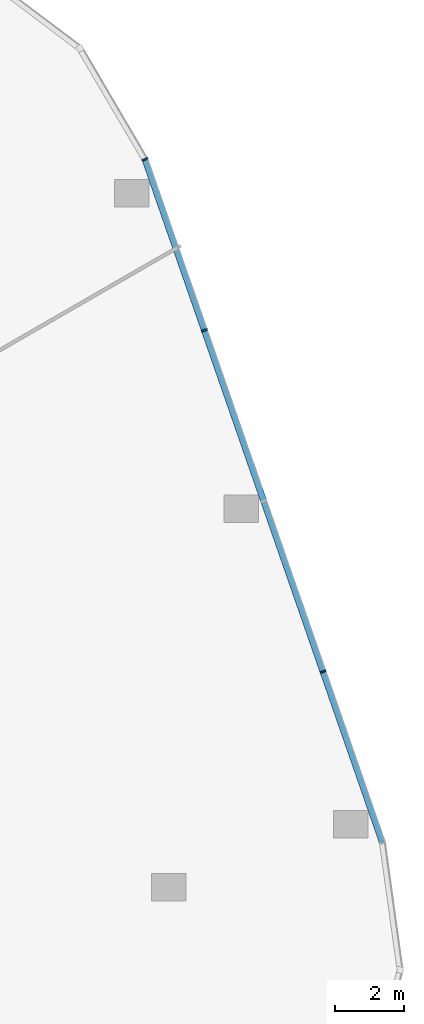
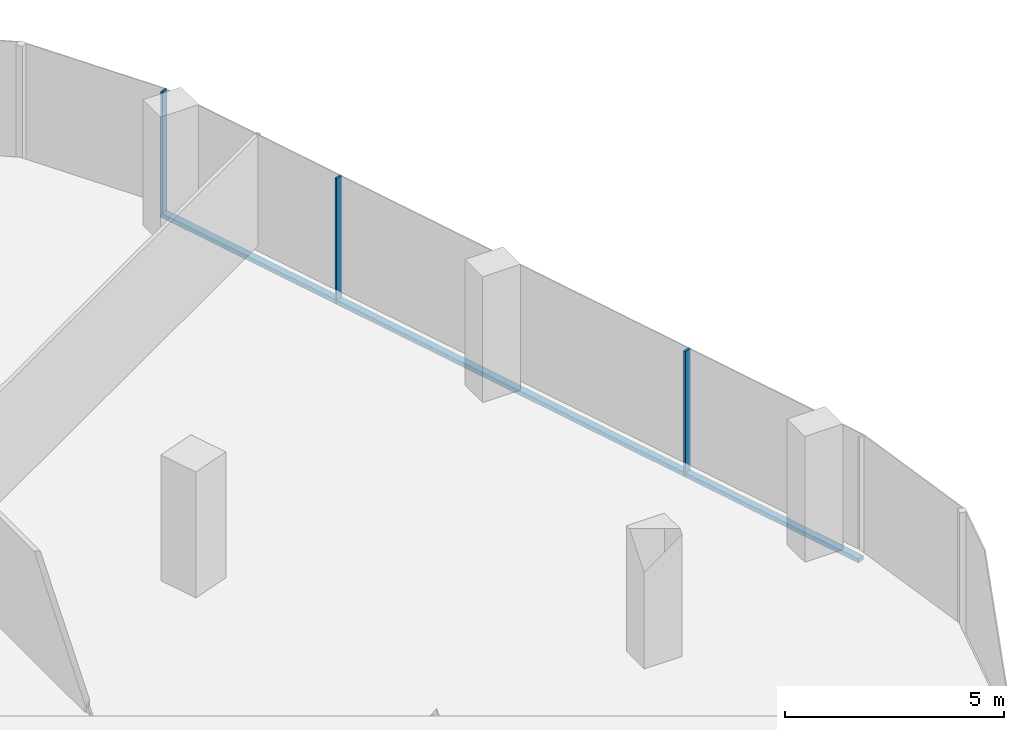
# One storey, part 9 of 24: 4 members, 1 element without a shape of its own.
"""IFC4 building model written with IfcOpenShell, lengths in metres."""

from ifc_helpers import new_model, si_unit, direction, frame, origin, origin_2d, place, context, subcontext, project, spatial, rectangle, extrude, material, material_profile, profile_set, type_object, element, aggregate, save


model = new_model("IFC4")

# Units and contexts
model_context = context("Model", 3, precision=1e-05, world=origin(), true_north=direction((0.0, 1.0)))
body_context = subcontext(model_context, "Body", "Model", "MODEL_VIEW")
ifc_project = project(units=[si_unit("LENGTHUNIT", "METRE"), si_unit("AREAUNIT", "SQUARE_METRE"), si_unit("VOLUMEUNIT", "CUBIC_METRE"), si_unit("PLANEANGLEUNIT", "RADIAN"), si_unit("MASSUNIT", "GRAM", prefix="KILO")], contexts=[model_context])

# Site, building, storey
site_placement = place(None, origin())
site = spatial("IfcSite", under=ifc_project, at=site_placement, CompositionType="ELEMENT")
building_placement = place(site_placement, origin())
building = spatial("IfcBuilding", under=site, at=building_placement, Name="Orlundy Tower", CompositionType="ELEMENT")
storey_placement = place(building_placement, frame((0.0, 0.0, 242.5)))
storey = spatial("IfcBuildingStorey", under=building, at=storey_placement, Name="L64", CompositionType="ELEMENT", Elevation=242.5)

# Curtain wall, members
ifc_material_1 = material(Name="Aluminium bronze anodised", Category="aluminium")
curtain_wall_type = type_object("IfcCurtainWallType", Name="CW1 wall", PredefinedType="NOTDEFINED", material=ifc_material_1)
curtain_wall_placement = place(storey_placement, origin())
curtain_wall = element("IfcCurtainWall", 1, at=curtain_wall_placement, inside=storey, type_object=curtain_wall_type, Name="CW1 run 023", PredefinedType="NOTDEFINED")
ifc_material_2 = material(Name="Aluminium bronze anodised", Category="aluminium")
ifc_material_profile_1 = material_profile(ifc_material_2, rectangle(XDim=0.179931640625, YDim=0.050048828125, at=origin_2d()), Name="CW1 mullion 50x180")
ifc_profile_set_1 = profile_set([ifc_material_profile_1], Name="Aluminium bronze anodised")
member_type_1 = type_object("IfcMemberType", Name="CW1 mullion 50x180", PredefinedType="MULLION", material=ifc_profile_set_1)
member_1_placement = place(storey_placement, frame((34.89013671875, 23.2529296875, -0.39990234375), z_axis=(0.0, 0.0, 1.0), x_axis=(0.907812384653, 0.419376530425, 0.0)))
member_1 = element("IfcMember", 2, at=member_1_placement, type_object=member_type_1, Name="CW1 mullion 45", PredefinedType="MULLION", context=body_context, shape_type="SweptSolid", body=[
    extrude(rectangle(XDim=0.179931640625, YDim=0.050048828125, at=origin_2d()), origin(), (0.0, 0.0, 1.0), 3.5),
])
member_2_placement = place(storey_placement, frame((36.616455078125, 18.28564453125, -0.39990234375), z_axis=(0.0, 0.0, 1.0), x_axis=(0.944577712924, 0.328287898416, 0.0)))
member_2 = element("IfcMember", 3, at=member_2_placement, type_object=member_type_1, Name="CW1 mullion 46", PredefinedType="MULLION", context=body_context, shape_type="SweptSolid", body=[
    extrude(rectangle(XDim=0.179931640625, YDim=0.050048828125, at=origin_2d()), origin(), (0.0, 0.0, 1.0), 3.5),
])
member_3_placement = place(storey_placement, frame((40.0634765625, 8.367431640625, -0.39990234375), z_axis=(0.0, 0.0, 1.0), x_axis=(0.944577712924, 0.328287898416, 0.0)))
member_3 = element("IfcMember", 4, at=member_3_placement, type_object=member_type_1, Name="CW1 mullion 48", PredefinedType="MULLION", context=body_context, shape_type="SweptSolid", body=[
    extrude(rectangle(XDim=0.179931640625, YDim=0.050048828125, at=origin_2d()), origin(), (0.0, 0.0, 1.0), 3.5),
])
ifc_material_3 = material(Name="Aluminium bronze anodised", Category="aluminium")
ifc_material_profile_2 = material_profile(ifc_material_3, rectangle(XDim=0.179931640625, YDim=0.1201171875, at=origin_2d()), Name="CW1 transom 180x120")
ifc_profile_set_2 = profile_set([ifc_material_profile_2], Name="Aluminium bronze anodised")
member_type_2 = type_object("IfcMemberType", Name="CW1 transom 180x120", PredefinedType="USERDEFINED", material=ifc_profile_set_2)
member_4_placement = place(storey_placement, frame((34.8984375, 23.229248046875, -0.340087890625), z_axis=(0.328284872243, -0.944578764665, 0.0), x_axis=(0.944578764665, 0.328284872243, 0.0)))
member_4 = element("IfcMember", 5, at=member_4_placement, type_object=member_type_2, Name="CW1 transom", ObjectType="TRANSOM", PredefinedType="USERDEFINED", context=body_context, shape_type="SweptSolid", body=[
    extrude(rectangle(XDim=0.179931640625, YDim=0.1201171875, at=origin_2d()), origin(), (0.0, 0.0, 1.0), 20.967529296875),
])
aggregate(curtain_wall, [member_1, member_2, member_3, member_4])

save(model, "model.ifc")
